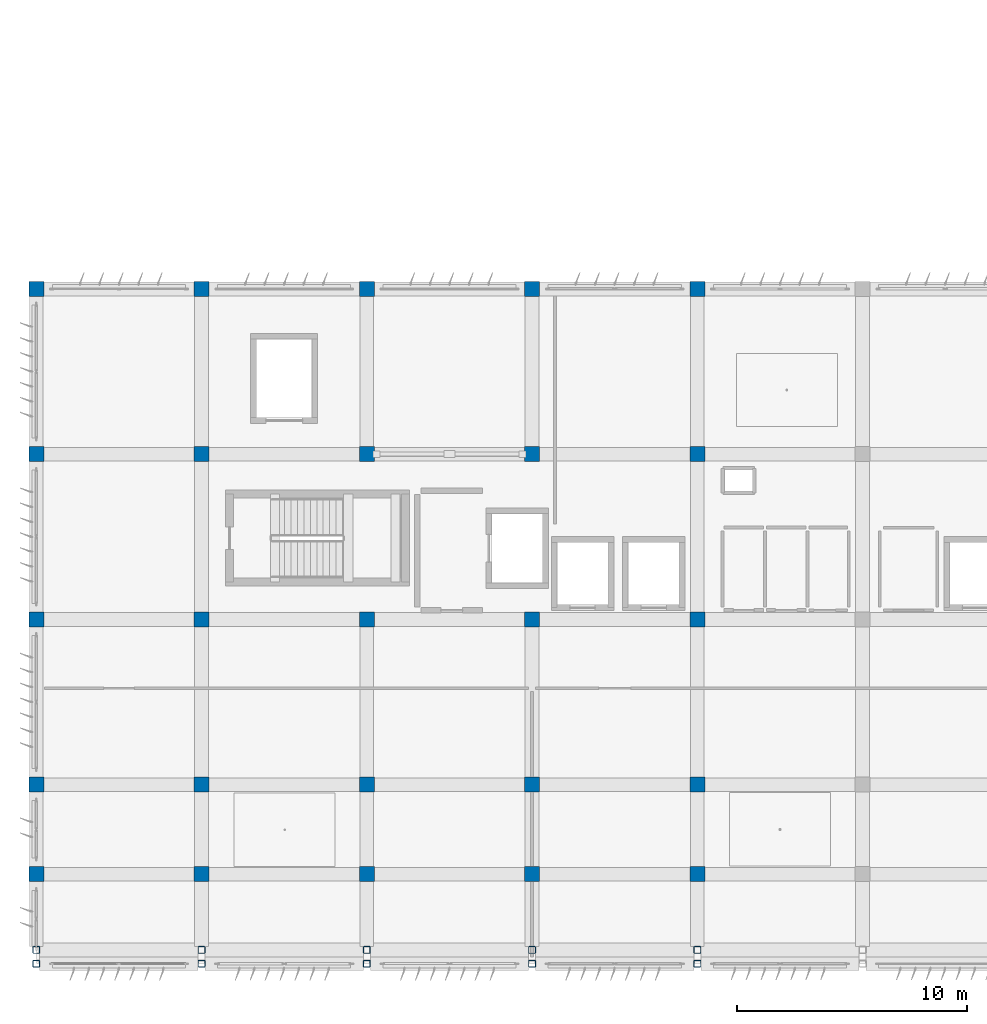
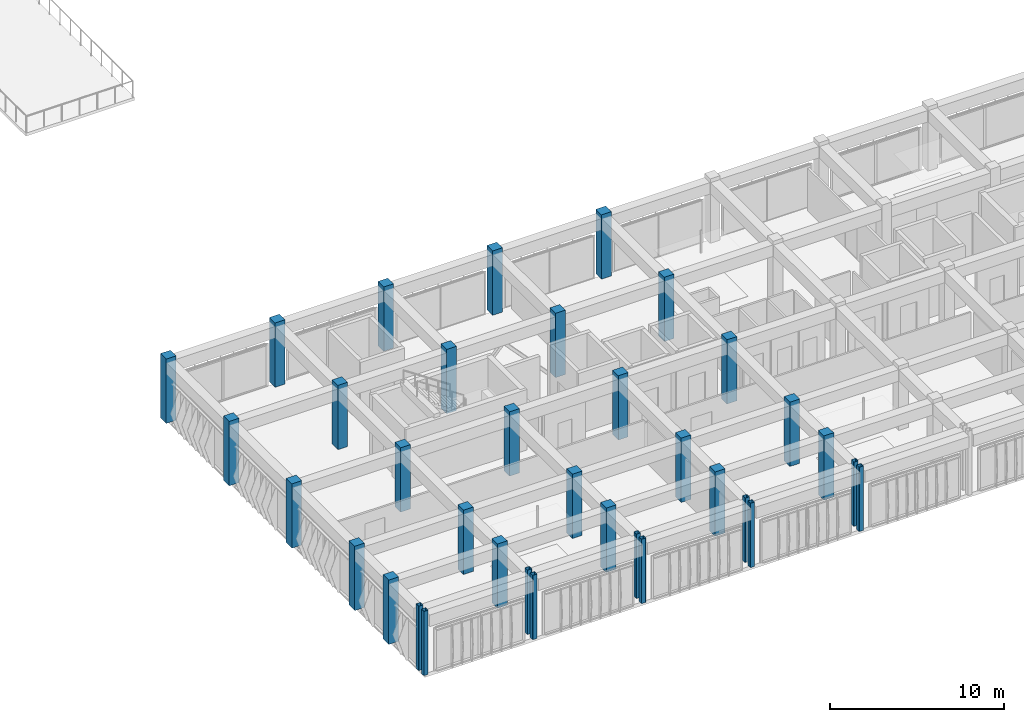
# One storey, part 1 of 56: 35 columns.
"""IFC4 building model written with IfcOpenShell, lengths in metres."""

from ifc_helpers import new_model, si_unit, direction, frame, origin, origin_2d, place, context, subcontext, project, spatial, rectangle, hollow_rectangle, extrude, material, material_profile, profile_set, type_object, element, save


model = new_model("IFC4")

# Units and contexts
model_context = context("Model", 3, precision=1e-05, world=origin(), true_north=direction((0.0, 1.0)))
body_context = subcontext(model_context, "Body", "Model", "MODEL_VIEW")
ifc_project = project(units=[si_unit("LENGTHUNIT", "METRE"), si_unit("AREAUNIT", "SQUARE_METRE"), si_unit("VOLUMEUNIT", "CUBIC_METRE"), si_unit("PLANEANGLEUNIT", "RADIAN"), si_unit("MASSUNIT", "GRAM", prefix="KILO")], contexts=[model_context])

# Site, building, storey
site_placement = place(None, origin())
site = spatial("IfcSite", under=ifc_project, at=site_placement, CompositionType="ELEMENT")
building_placement = place(site_placement, origin())
building = spatial("IfcBuilding", under=site, at=building_placement, Name="Kazehaya Institute of Natural Sciences", CompositionType="ELEMENT")
storey_placement = place(building_placement, frame((0.0, 0.0, 28.800048828125)))
storey = spatial("IfcBuildingStorey", under=building, at=storey_placement, Name="L06", CompositionType="ELEMENT", Elevation=28.800048828125)

# Columns
ifc_material_1 = material(Name="Concrete Fc36", Category="concrete")
ifc_material_profile_1 = material_profile(ifc_material_1, rectangle(XDim=0.64990234375, YDim=0.64990234375, at=origin_2d()), Name="RC-650x650")
ifc_profile_set_1 = profile_set([ifc_material_profile_1], Name="Concrete Fc36")
column_type_1 = type_object("IfcColumnType", Name="COL-RC650", PredefinedType="COLUMN", material=ifc_profile_set_1)
for number, where, z_axis, x_axis, name in (
    (1, (54.60009765625, 10.10009765625, 0.0), (0.0, 0.0, 1.0), (1.0, 0.0, 0.0), "L06 column COL-L06-1129"),
    (2, (61.800048828125, 10.10009765625, 0.0), (0.0, 0.0, 1.0), (1.0, 0.0, 0.0), "L06 column COL-L06-1130"),
    (3, (69.0, 10.10009765625, 0.0), (0.0, 0.0, 1.0), (1.0, 0.0, 0.0), "L06 column COL-L06-1131"),
    (4, (76.199951171875, 10.10009765625, 0.0), (0.0, 0.0, 1.0), (1.0, 0.0, 0.0), "L06 column COL-L06-1132"),
    (5, (83.39990234375, 10.10009765625, 0.0), (0.0, 0.0, 1.0), (1.0, 0.0, 0.0), "L06 column COL-L06-1133"),
    (6, (54.60009765625, 14.0, 0.0), (0.0, 0.0, 1.0), (1.0, 0.0, 0.0), "L06 column COL-L06-1139"),
    (7, (61.800048828125, 14.0, 0.0), (0.0, 0.0, 1.0), (1.0, 0.0, 0.0), "L06 column COL-L06-1140"),
    (8, (69.0, 14.0, 0.0), (0.0, 0.0, 1.0), (1.0, 0.0, 0.0), "L06 column COL-L06-1141"),
    (9, (76.199951171875, 14.0, 0.0), (0.0, 0.0, 1.0), (1.0, 0.0, 0.0), "L06 column COL-L06-1142"),
    (10, (83.39990234375, 14.0, 0.0), (0.0, 0.0, 1.0), (1.0, 0.0, 0.0), "L06 column COL-L06-1143"),
    (11, (54.60009765625, 21.199951171875, 0.0), (0.0, 0.0, 1.0), (1.0, 0.0, 0.0), "L06 column COL-L06-1149"),
    (12, (61.800048828125, 21.199951171875, 0.0), (0.0, 0.0, 1.0), (1.0, 0.0, 0.0), "L06 column COL-L06-1150"),
    (13, (69.0, 21.199951171875, 0.0), (0.0, 0.0, 1.0), (1.0, 0.0, 0.0), "L06 column COL-L06-1151"),
    (14, (76.199951171875, 21.199951171875, 0.0), (0.0, 0.0, 1.0), (1.0, 0.0, 0.0), "L06 column COL-L06-1152"),
    (15, (83.39990234375, 21.199951171875, 0.0), (0.0, 0.0, 1.0), (1.0, 0.0, 0.0), "L06 column COL-L06-1153"),
    (16, (54.60009765625, 28.39990234375, 0.0), (0.0, 0.0, 1.0), (1.0, 0.0, 0.0), "L06 column COL-L06-1159"),
    (17, (61.800048828125, 28.39990234375, 0.0), (0.0, 0.0, 1.0), (1.0, 0.0, 0.0), "L06 column COL-L06-1160"),
    (18, (69.0, 28.39990234375, 0.0), (0.0, 0.0, 1.0), (1.0, 0.0, 0.0), "L06 column COL-L06-1161"),
    (19, (76.199951171875, 28.39990234375, 0.0), (0.0, 0.0, 1.0), (1.0, 0.0, 0.0), "L06 column COL-L06-1162"),
    (20, (83.39990234375, 28.39990234375, 0.0), (0.0, 0.0, 1.0), (1.0, 0.0, 0.0), "L06 column COL-L06-1163"),
    (21, (54.60009765625, 35.60009765625, 0.0), (0.0, 0.0, 1.0), (1.0, 0.0, 0.0), "L06 column COL-L06-1169"),
    (22, (61.800048828125, 35.60009765625, 0.0), (0.0, 0.0, 1.0), (1.0, 0.0, 0.0), "L06 column COL-L06-1170"),
    (23, (69.0, 35.60009765625, 0.0), (0.0, 0.0, 1.0), (1.0, 0.0, 0.0), "L06 column COL-L06-1171"),
    (24, (76.199951171875, 35.60009765625, 0.0), (0.0, 0.0, 1.0), (1.0, 0.0, 0.0), "L06 column COL-L06-1172"),
    (25, (83.39990234375, 35.60009765625, 0.0), (0.0, 0.0, 1.0), (1.0, 0.0, 0.0), "L06 column COL-L06-1173"),
):
    element("IfcColumn", number, at=place(storey_placement, frame(where, z_axis=z_axis, x_axis=x_axis)), inside=storey, type_object=column_type_1, Name=name, PredefinedType="COLUMN", context=body_context, shape_type="SweptSolid", body=[
        extrude(rectangle(XDim=0.64990234375, YDim=0.64990234375, at=origin_2d()), origin(), (0.0, 0.0, 1.0), 4.5),
    ])
ifc_material_2 = material(Name="Structural steel BCR295", Category="steel")
ifc_material_profile_2 = material_profile(ifc_material_2, hollow_rectangle(XDim=0.300048828125, YDim=0.300048828125, WallThickness=0.011962890625, InnerFilletRadius=0.01806640625, OuterFilletRadius=0.030029296875, at=origin_2d()), Name="BCR-300x300x12")
ifc_profile_set_2 = profile_set([ifc_material_profile_2], Name="Structural steel BCR295")
column_type_2 = type_object("IfcColumnType", Name="COL-STL-BCR300", PredefinedType="COLUMN", material=ifc_profile_set_2)
for number, where, z_axis, x_axis, name in (
    (26, (54.60009765625, 6.199951171875, 0.0), (0.0, 0.0, 1.0), (1.0, 0.0, 0.0), "L06 column COL-L06-1109"),
    (27, (61.800048828125, 6.199951171875, 0.0), (0.0, 0.0, 1.0), (1.0, 0.0, 0.0), "L06 column COL-L06-1110"),
    (28, (69.0, 6.199951171875, 0.0), (0.0, 0.0, 1.0), (1.0, 0.0, 0.0), "L06 column COL-L06-1111"),
    (29, (76.199951171875, 6.199951171875, 0.0), (0.0, 0.0, 1.0), (1.0, 0.0, 0.0), "L06 column COL-L06-1112"),
    (30, (83.39990234375, 6.199951171875, 0.0), (0.0, 0.0, 1.0), (1.0, 0.0, 0.0), "L06 column COL-L06-1113"),
    (31, (54.60009765625, 6.800048828125, 0.0), (0.0, 0.0, 1.0), (1.0, 0.0, 0.0), "L06 column COL-L06-1119"),
    (32, (61.800048828125, 6.800048828125, 0.0), (0.0, 0.0, 1.0), (1.0, 0.0, 0.0), "L06 column COL-L06-1120"),
    (33, (69.0, 6.800048828125, 0.0), (0.0, 0.0, 1.0), (1.0, 0.0, 0.0), "L06 column COL-L06-1121"),
    (34, (76.199951171875, 6.800048828125, 0.0), (0.0, 0.0, 1.0), (1.0, 0.0, 0.0), "L06 column COL-L06-1122"),
    (35, (83.39990234375, 6.800048828125, 0.0), (0.0, 0.0, 1.0), (1.0, 0.0, 0.0), "L06 column COL-L06-1123"),
):
    element("IfcColumn", number, at=place(storey_placement, frame(where, z_axis=z_axis, x_axis=x_axis)), inside=storey, type_object=column_type_2, Name=name, PredefinedType="COLUMN", context=body_context, shape_type="SweptSolid", body=[
        extrude(hollow_rectangle(XDim=0.300048828125, YDim=0.300048828125, WallThickness=0.011962890625, InnerFilletRadius=0.01806640625, OuterFilletRadius=0.030029296875, at=origin_2d()), origin(), (0.0, 0.0, 1.0), 4.5),
    ])

save(model, "model.ifc")
